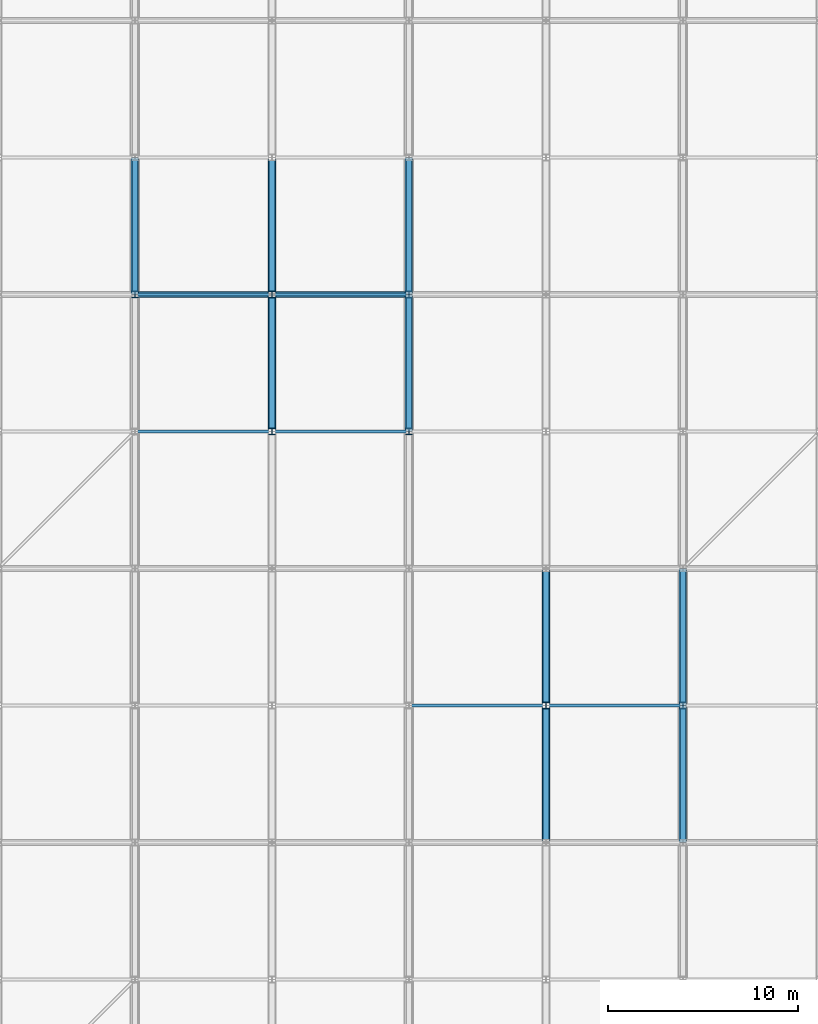
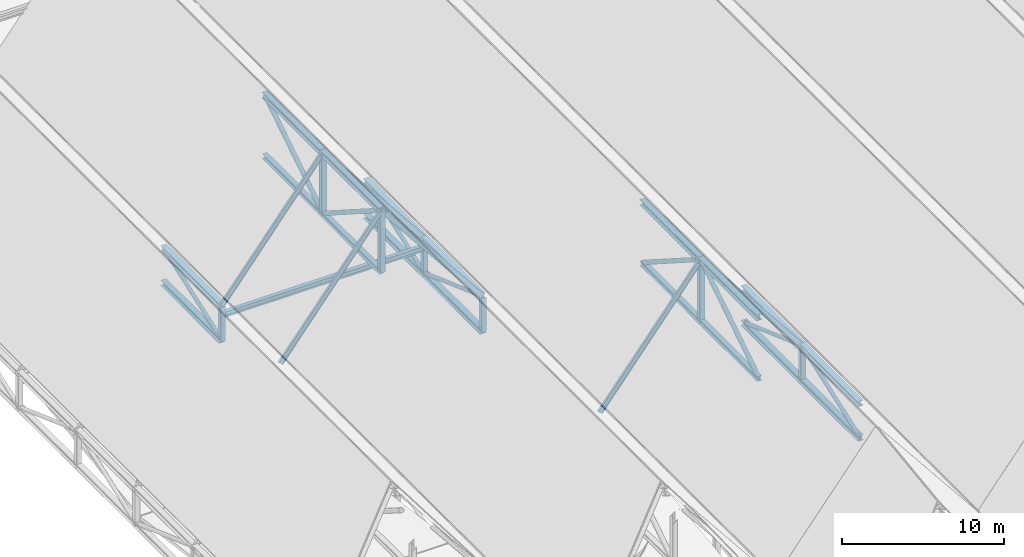
# One storey, part 8 of 60: 40 members, 1 beam.
"""IFC4 building model written with IfcOpenShell, lengths in metres."""

from ifc_helpers import new_model, si_unit, direction, frame, origin, origin_2d, place, context, subcontext, project, spatial, hollow_circle, i_section, extrude, material, material_profile, profile_set, type_object, element, save


model = new_model("IFC4")

# Units and contexts
model_context = context("Model", 3, precision=1e-05, world=origin(), true_north=direction((0.0, 1.0)))
body_context = subcontext(model_context, "Body", "Model", "MODEL_VIEW")
ifc_project = project(units=[si_unit("LENGTHUNIT", "METRE"), si_unit("AREAUNIT", "SQUARE_METRE"), si_unit("VOLUMEUNIT", "CUBIC_METRE"), si_unit("PLANEANGLEUNIT", "RADIAN"), si_unit("MASSUNIT", "GRAM", prefix="KILO")], contexts=[model_context])

# Site, building, storey
site_placement = place(None, origin())
site = spatial("IfcSite", under=ifc_project, at=site_placement, CompositionType="ELEMENT")
building_placement = place(site_placement, origin())
building = spatial("IfcBuilding", under=site, at=building_placement, Name="Vesperath Aquatics Centre", CompositionType="ELEMENT")
storey_placement = place(building_placement, frame((0.0, 0.0, 27.60009765625)))
storey = spatial("IfcBuildingStorey", under=building, at=storey_placement, Name="RF", CompositionType="ELEMENT", Elevation=27.60009765625)

# Beam
ifc_material_1 = material(Name="Steel Q355C", Category="steel")
ifc_material_profile_1 = material_profile(ifc_material_1, i_section(OverallWidth=0.300048828125, OverallDepth=0.389892578125, WebThickness=0.010009765625, FlangeThickness=0.01611328125, FilletRadius=0.02197265625, at=origin_2d()), Name="HM 390x300x10x16")
ifc_profile_set_1 = profile_set([ifc_material_profile_1], Name="Steel Q355C")
beam_type = type_object("IfcBeamType", Name="BM-RB03", PredefinedType="BEAM", material=ifc_profile_set_1)
beam_placement = place(storey_placement, frame((14.39990234375, 57.60009765625, -10.478759765625), z_axis=(1.0, 0.0, 0.0), x_axis=(0.0, 1.0, 0.0)))
element("IfcBeam", 1, at=beam_placement, inside=storey, type_object=beam_type, Name="Natatorium Roof Deck Support Beam B11 G2-57.6", PredefinedType="BEAM", context=body_context, shape_type="SweptSolid", body=[
    extrude(i_section(OverallWidth=0.300048828125, OverallDepth=0.389892578125, WebThickness=0.010009765625, FlangeThickness=0.01611328125, FilletRadius=0.02197265625, at=origin_2d()), origin(), (0.0, 0.0, 1.0), 14.400146484375),
])

# Members
ifc_material_2 = material(Name="Steel Q355D", Category="steel")
ifc_material_profile_2 = material_profile(ifc_material_2, i_section(OverallWidth=0.39990234375, OverallDepth=0.39990234375, WebThickness=0.012939453125, FlangeThickness=0.02099609375, FilletRadius=0.02197265625, at=origin_2d()), Name="HW 400x400x13x21")
ifc_profile_set_2 = profile_set([ifc_material_profile_2], Name="Steel Q355D")
member_type_1 = type_object("IfcMemberType", Name="MB-BC01", PredefinedType="CHORD", material=ifc_profile_set_2)
member_1_placement = place(storey_placement, frame((14.39990234375, 57.60009765625, -12.400146484375), z_axis=(0.0, 1.0, 0.0), x_axis=(-1.0, 0.0, 0.0)))
element("IfcMember", 2, at=member_1_placement, inside=storey, type_object=member_type_1, Name="Natatorium ROOF TRUSS Bottom Chord BC01 G3-9", PredefinedType="CHORD", context=body_context, shape_type="SweptSolid", body=[
    extrude(i_section(OverallWidth=0.39990234375, OverallDepth=0.39990234375, WebThickness=0.012939453125, FlangeThickness=0.02099609375, FilletRadius=0.02197265625, at=origin_2d()), origin(), (0.0, 0.0, 1.0), 7.199951171875),
])
member_2_placement = place(storey_placement, frame((28.800048828125, 50.39990234375, -12.400146484375), z_axis=(0.0, 1.0, 0.0), x_axis=(-1.0, 0.0, 0.0)))
element("IfcMember", 3, at=member_2_placement, inside=storey, type_object=member_type_1, Name="Natatorium ROOF TRUSS Bottom Chord BC01 G5-8", PredefinedType="CHORD", context=body_context, shape_type="SweptSolid", body=[
    extrude(i_section(OverallWidth=0.39990234375, OverallDepth=0.39990234375, WebThickness=0.012939453125, FlangeThickness=0.02099609375, FilletRadius=0.02197265625, at=origin_2d()), origin(), (0.0, 0.0, 1.0), 7.2001953125),
])
for number, where, z_axis, x_axis, name in (
    (4, (28.800048828125, 57.60009765625, -12.400146484375), (0.0, 1.0, 0.0), (-1.0, 0.0, 0.0), "Natatorium ROOF TRUSS Bottom Chord BC01 G5-9"),
    (5, (43.199951171875, 28.800048828125, -12.400146484375), (0.0, 1.0, 0.0), (-1.0, 0.0, 0.0), "Natatorium ROOF TRUSS Bottom Chord BC01 G7-5"),
    (6, (43.199951171875, 36.0, -12.400146484375), (0.0, 1.0, 0.0), (-1.0, 0.0, 0.0), "Natatorium ROOF TRUSS Bottom Chord BC01 G7-6"),
):
    element("IfcMember", number, at=place(storey_placement, frame(where, z_axis=z_axis, x_axis=x_axis)), inside=storey, type_object=member_type_1, Name=name, PredefinedType="CHORD", context=body_context, shape_type="SweptSolid", body=[
        extrude(i_section(OverallWidth=0.39990234375, OverallDepth=0.39990234375, WebThickness=0.012939453125, FlangeThickness=0.02099609375, FilletRadius=0.02197265625, at=origin_2d()), origin(), (0.0, 0.0, 1.0), 7.199951171875),
    ])
ifc_material_profile_3 = material_profile(ifc_material_2, i_section(OverallWidth=0.35009765625, OverallDepth=0.35009765625, WebThickness=0.011962890625, FlangeThickness=0.01904296875, FilletRadius=0.02001953125, at=origin_2d()), Name="HW 350x350x12x19")
ifc_profile_set_3 = profile_set([ifc_material_profile_3], Name="Steel Q355D")
member_type_2 = type_object("IfcMemberType", Name="MB-BC02", PredefinedType="CHORD", material=ifc_profile_set_3)
member_3_placement = place(storey_placement, frame((21.60009765625, 50.39990234375, -5.400146484375), z_axis=(0.0, 1.0, 0.0), x_axis=(-1.0, 0.0, 0.0)))
element("IfcMember", 7, at=member_3_placement, inside=storey, type_object=member_type_2, Name="Natatorium ROOF TRUSS Bottom Chord BC02 G4-8", PredefinedType="CHORD", context=body_context, shape_type="SweptSolid", body=[
    extrude(i_section(OverallWidth=0.35009765625, OverallDepth=0.35009765625, WebThickness=0.011962890625, FlangeThickness=0.01904296875, FilletRadius=0.02001953125, at=origin_2d()), origin(), (0.0, 0.0, 1.0), 7.2001953125),
])
for number, where, z_axis, x_axis, name in (
    (8, (21.60009765625, 57.60009765625, -5.400146484375), (0.0, 1.0, 0.0), (-1.0, 0.0, 0.0), "Natatorium ROOF TRUSS Bottom Chord BC02 G4-9"),
    (9, (36.0, 28.800048828125, -5.400146484375), (0.0, 1.0, 0.0), (-1.0, 0.0, 0.0), "Natatorium ROOF TRUSS Bottom Chord BC02 G6-5"),
    (10, (36.0, 36.0, -5.400146484375), (0.0, 1.0, 0.0), (-1.0, 0.0, 0.0), "Natatorium ROOF TRUSS Bottom Chord BC02 G6-6"),
):
    element("IfcMember", number, at=place(storey_placement, frame(where, z_axis=z_axis, x_axis=x_axis)), inside=storey, type_object=member_type_2, Name=name, PredefinedType="CHORD", context=body_context, shape_type="SweptSolid", body=[
        extrude(i_section(OverallWidth=0.35009765625, OverallDepth=0.35009765625, WebThickness=0.011962890625, FlangeThickness=0.01904296875, FilletRadius=0.02001953125, at=origin_2d()), origin(), (0.0, 0.0, 1.0), 7.199951171875),
    ])
ifc_material_profile_4 = material_profile(ifc_material_1, i_section(OverallWidth=0.175048828125, OverallDepth=0.35009765625, WebThickness=0.007080078125, FlangeThickness=0.010986328125, FilletRadius=0.012939453125, at=origin_2d()), Name="HN 350x175x7x11")
ifc_profile_set_4 = profile_set([ifc_material_profile_4], Name="Steel Q355C")
member_type_3 = type_object("IfcMemberType", Name="MB-PR01", PredefinedType="PURLIN", material=ifc_profile_set_4)
for number, where, z_axis, x_axis, name in (
    (11, (14.39990234375, 50.39990234375, -9.800048828125), (0.624705380279, 0.0, 0.780860543151), (0.0, 1.0, 0.0), "Natatorium Roof Purlin PR01 B3-6"),
    (12, (14.39990234375, 57.60009765625, -9.800048828125), (0.624705380279, 0.0, 0.780860543151), (0.0, 1.0, 0.0), "Natatorium Roof Purlin PR01 B3-7"),
    (13, (21.60009765625, 50.39990234375, -0.800048828125), (0.624692464322, 0.0, -0.780870876022), (0.0, 1.0, 0.0), "Natatorium Roof Purlin PR01 B4-6"),
    (14, (21.60009765625, 57.60009765625, -0.800048828125), (0.624692464322, 0.0, -0.780870876022), (0.0, 1.0, 0.0), "Natatorium Roof Purlin PR01 B4-7"),
    (15, (28.800048828125, 36.0, -9.800048828125), (0.624692464322, 0.0, 0.780870876022), (0.0, 1.0, 0.0), "Natatorium Roof Purlin PR01 B5-4"),
    (16, (36.0, 36.0, -0.800048828125), (0.624692464322, 0.0, -0.780870876022), (0.0, 1.0, 0.0), "Natatorium Roof Purlin PR01 B6-4"),
):
    element("IfcMember", number, at=place(storey_placement, frame(where, z_axis=z_axis, x_axis=x_axis)), inside=storey, type_object=member_type_3, Name=name, PredefinedType="PURLIN", context=body_context, shape_type="SweptSolid", body=[
        extrude(i_section(OverallWidth=0.175048828125, OverallDepth=0.35009765625, WebThickness=0.007080078125, FlangeThickness=0.010986328125, FilletRadius=0.012939453125, at=origin_2d()), origin(), (0.0, 0.0, 1.0), 11.525634765625),
    ])
ifc_material_profile_5 = material_profile(ifc_material_2, i_section(OverallWidth=0.406982421875, OverallDepth=0.427978515625, WebThickness=0.02001953125, FlangeThickness=0.034912109375, FilletRadius=0.02197265625, at=origin_2d()), Name="HW 428x407x20x35")
ifc_profile_set_5 = profile_set([ifc_material_profile_5], Name="Steel Q355D")
member_type_4 = type_object("IfcMemberType", Name="MB-TC01", PredefinedType="CHORD", material=ifc_profile_set_5)
member_4_placement = place(storey_placement, frame((21.60009765625, 50.39990234375, -0.800048828125), z_axis=(0.0, 1.0, 0.0), x_axis=(-1.0, 0.0, 0.0)))
element("IfcMember", 17, at=member_4_placement, inside=storey, type_object=member_type_4, Name="Natatorium ROOF TRUSS Top Chord TC01 G4-8", PredefinedType="CHORD", context=body_context, shape_type="SweptSolid", body=[
    extrude(i_section(OverallWidth=0.406982421875, OverallDepth=0.427978515625, WebThickness=0.02001953125, FlangeThickness=0.034912109375, FilletRadius=0.02197265625, at=origin_2d()), origin(), (0.0, 0.0, 1.0), 7.2001953125),
])
for number, where, z_axis, x_axis, name in (
    (18, (21.60009765625, 57.60009765625, -0.800048828125), (0.0, 1.0, 0.0), (-1.0, 0.0, 0.0), "Natatorium ROOF TRUSS Top Chord TC01 G4-9"),
    (19, (36.0, 28.800048828125, -0.800048828125), (0.0, 1.0, 0.0), (-1.0, 0.0, 0.0), "Natatorium ROOF TRUSS Top Chord TC01 G6-5"),
    (20, (36.0, 36.0, -0.800048828125), (0.0, 1.0, 0.0), (-1.0, 0.0, 0.0), "Natatorium ROOF TRUSS Top Chord TC01 G6-6"),
):
    element("IfcMember", number, at=place(storey_placement, frame(where, z_axis=z_axis, x_axis=x_axis)), inside=storey, type_object=member_type_4, Name=name, PredefinedType="CHORD", context=body_context, shape_type="SweptSolid", body=[
        extrude(i_section(OverallWidth=0.406982421875, OverallDepth=0.427978515625, WebThickness=0.02001953125, FlangeThickness=0.034912109375, FilletRadius=0.02197265625, at=origin_2d()), origin(), (0.0, 0.0, 1.0), 7.199951171875),
    ])
ifc_material_profile_6 = material_profile(ifc_material_2, i_section(OverallWidth=0.39990234375, OverallDepth=0.39990234375, WebThickness=0.012939453125, FlangeThickness=0.02099609375, FilletRadius=0.02197265625, at=origin_2d()), Name="HW 400x400x13x21")
ifc_profile_set_6 = profile_set([ifc_material_profile_6], Name="Steel Q355D")
member_type_5 = type_object("IfcMemberType", Name="MB-TC02", PredefinedType="CHORD", material=ifc_profile_set_6)
member_5_placement = place(storey_placement, frame((14.39990234375, 57.60009765625, -9.800048828125), z_axis=(0.0, 1.0, 0.0), x_axis=(-1.0, 0.0, 0.0)))
element("IfcMember", 21, at=member_5_placement, inside=storey, type_object=member_type_5, Name="Natatorium ROOF TRUSS Top Chord TC02 G3-9", PredefinedType="CHORD", context=body_context, shape_type="SweptSolid", body=[
    extrude(i_section(OverallWidth=0.39990234375, OverallDepth=0.39990234375, WebThickness=0.012939453125, FlangeThickness=0.02099609375, FilletRadius=0.02197265625, at=origin_2d()), origin(), (0.0, 0.0, 1.0), 7.199951171875),
])
member_6_placement = place(storey_placement, frame((28.800048828125, 50.39990234375, -9.800048828125), z_axis=(0.0, 1.0, 0.0), x_axis=(-1.0, 0.0, 0.0)))
element("IfcMember", 22, at=member_6_placement, inside=storey, type_object=member_type_5, Name="Natatorium ROOF TRUSS Top Chord TC02 G5-8", PredefinedType="CHORD", context=body_context, shape_type="SweptSolid", body=[
    extrude(i_section(OverallWidth=0.39990234375, OverallDepth=0.39990234375, WebThickness=0.012939453125, FlangeThickness=0.02099609375, FilletRadius=0.02197265625, at=origin_2d()), origin(), (0.0, 0.0, 1.0), 7.2001953125),
])
for number, where, z_axis, x_axis, name in (
    (23, (28.800048828125, 57.60009765625, -9.800048828125), (0.0, 1.0, 0.0), (-1.0, 0.0, 0.0), "Natatorium ROOF TRUSS Top Chord TC02 G5-9"),
    (24, (43.199951171875, 28.800048828125, -9.800048828125), (0.0, 1.0, 0.0), (-1.0, 0.0, 0.0), "Natatorium ROOF TRUSS Top Chord TC02 G7-5"),
    (25, (43.199951171875, 36.0, -9.800048828125), (0.0, 1.0, 0.0), (-1.0, 0.0, 0.0), "Natatorium ROOF TRUSS Top Chord TC02 G7-6"),
):
    element("IfcMember", number, at=place(storey_placement, frame(where, z_axis=z_axis, x_axis=x_axis)), inside=storey, type_object=member_type_5, Name=name, PredefinedType="CHORD", context=body_context, shape_type="SweptSolid", body=[
        extrude(i_section(OverallWidth=0.39990234375, OverallDepth=0.39990234375, WebThickness=0.012939453125, FlangeThickness=0.02099609375, FilletRadius=0.02197265625, at=origin_2d()), origin(), (0.0, 0.0, 1.0), 7.199951171875),
    ])
ifc_material_profile_7 = material_profile(ifc_material_2, hollow_circle(Radius=0.161865234375, WallThickness=0.013916015625, at=origin_2d()), Name="CHS 323.9x14")
ifc_profile_set_7 = profile_set([ifc_material_profile_7], Name="Steel Q355D")
member_type_6 = type_object("IfcMemberType", Name="MB-TD01", PredefinedType="BRACE", material=ifc_profile_set_7)
member_7_placement = place(storey_placement, frame((21.60009765625, 50.467529296875, -0.84326171875), z_axis=(0.0, 0.842698461818, -0.538385830468), x_axis=(-1.0, 0.0, 0.0)))
element("IfcMember", 26, at=member_7_placement, inside=storey, type_object=member_type_6, Name="Natatorium ROOF TRUSS Diagonal TD01 G4-8", PredefinedType="BRACE", context=body_context, shape_type="SweptSolid", body=[
    extrude(hollow_circle(Radius=0.161865234375, WallThickness=0.013916015625, at=origin_2d()), origin(), (0.0, 0.0, 1.0), 8.3837890625),
])
for number, where, z_axis, x_axis, name in (
    (27, (21.60009765625, 57.66748046875, -5.35693359375), (0.0, 0.84270690245, 0.538372618698), (-1.0, 0.0, 0.0), "Natatorium ROOF TRUSS Diagonal TD01 G4-9"),
    (28, (36.0, 28.867431640625, -5.35693359375), (0.0, 0.84270690245, 0.538372618698), (-1.0, 0.0, 0.0), "Natatorium ROOF TRUSS Diagonal TD01 G6-5"),
    (29, (36.0, 36.0673828125, -0.84326171875), (0.0, 0.84270690245, -0.538372618698), (-1.0, 0.0, 0.0), "Natatorium ROOF TRUSS Diagonal TD01 G6-6"),
):
    element("IfcMember", number, at=place(storey_placement, frame(where, z_axis=z_axis, x_axis=x_axis)), inside=storey, type_object=member_type_6, Name=name, PredefinedType="BRACE", context=body_context, shape_type="SweptSolid", body=[
        extrude(hollow_circle(Radius=0.161865234375, WallThickness=0.013916015625, at=origin_2d()), origin(), (0.0, 0.0, 1.0), 8.384033203125),
    ])
ifc_material_profile_8 = material_profile(ifc_material_2, hollow_circle(Radius=0.136474609375, WallThickness=0.011962890625, at=origin_2d()), Name="CHS 273.0x12")
ifc_profile_set_8 = profile_set([ifc_material_profile_8], Name="Steel Q355D")
member_type_7 = type_object("IfcMemberType", Name="MB-TD02", PredefinedType="BRACE", material=ifc_profile_set_8)
member_8_placement = place(storey_placement, frame((14.39990234375, 57.67529296875, -12.373046875), z_axis=(0.0, 0.940544360889, 0.339670877761), x_axis=(-1.0, 0.0, 0.0)))
element("IfcMember", 30, at=member_8_placement, inside=storey, type_object=member_type_7, Name="Natatorium ROOF TRUSS Diagonal TD02 G3-9", PredefinedType="BRACE", context=body_context, shape_type="SweptSolid", body=[
    extrude(hollow_circle(Radius=0.136474609375, WallThickness=0.011962890625, at=origin_2d()), origin(), (0.0, 0.0, 1.0), 7.4951171875),
])
member_9_placement = place(storey_placement, frame((28.800048828125, 50.475341796875, -9.8271484375), z_axis=(0.0, 0.940540602568, -0.339681284324), x_axis=(-1.0, 0.0, 0.0)))
element("IfcMember", 31, at=member_9_placement, inside=storey, type_object=member_type_7, Name="Natatorium ROOF TRUSS Diagonal TD02 G5-8", PredefinedType="BRACE", context=body_context, shape_type="SweptSolid", body=[
    extrude(hollow_circle(Radius=0.136474609375, WallThickness=0.011962890625, at=origin_2d()), origin(), (0.0, 0.0, 1.0), 7.494873046875),
])
for number, where, z_axis, x_axis, name in (
    (32, (28.800048828125, 57.67529296875, -12.373046875), (0.0, 0.940544360889, 0.339670877761), (-1.0, 0.0, 0.0), "Natatorium ROOF TRUSS Diagonal TD02 G5-9"),
    (33, (43.199951171875, 28.875244140625, -12.373046875), (0.0, 0.940544360889, 0.339670877761), (-1.0, 0.0, 0.0), "Natatorium ROOF TRUSS Diagonal TD02 G7-5"),
    (34, (43.199951171875, 36.0751953125, -9.8271484375), (0.0, 0.940544360889, -0.339670877761), (-1.0, 0.0, 0.0), "Natatorium ROOF TRUSS Diagonal TD02 G7-6"),
):
    element("IfcMember", number, at=place(storey_placement, frame(where, z_axis=z_axis, x_axis=x_axis)), inside=storey, type_object=member_type_7, Name=name, PredefinedType="BRACE", context=body_context, shape_type="SweptSolid", body=[
        extrude(hollow_circle(Radius=0.136474609375, WallThickness=0.011962890625, at=origin_2d()), origin(), (0.0, 0.0, 1.0), 7.4951171875),
    ])
ifc_material_profile_9 = material_profile(ifc_material_2, i_section(OverallWidth=0.35009765625, OverallDepth=0.35009765625, WebThickness=0.011962890625, FlangeThickness=0.01904296875, FilletRadius=0.02001953125, at=origin_2d()), Name="HW 350x350x12x19")
ifc_profile_set_9 = profile_set([ifc_material_profile_9], Name="Steel Q355D")
member_type_8 = type_object("IfcMemberType", Name="MB-TP01", PredefinedType="POST", material=ifc_profile_set_9)
member_10_placement = place(storey_placement, frame((14.39990234375, 57.60009765625, -12.400146484375), z_axis=(0.0, 0.0, 1.0), x_axis=(1.0, 0.0, 0.0)))
element("IfcMember", 35, at=member_10_placement, inside=storey, type_object=member_type_8, Name="Natatorium ROOF TRUSS Post TP01 G3-9", PredefinedType="POST", context=body_context, shape_type="SweptSolid", body=[
    extrude(i_section(OverallWidth=0.35009765625, OverallDepth=0.35009765625, WebThickness=0.011962890625, FlangeThickness=0.01904296875, FilletRadius=0.02001953125, at=origin_2d()), origin(), (0.0, 0.0, 1.0), 2.60009765625),
])
for number, where, z_axis, x_axis, name in (
    (36, (21.60009765625, 50.39990234375, -5.400146484375), (0.0, 0.0, 1.0), (1.0, 0.0, 0.0), "Natatorium ROOF TRUSS Post TP01 G4-8"),
    (37, (21.60009765625, 57.60009765625, -5.400146484375), (0.0, 0.0, 1.0), (1.0, 0.0, 0.0), "Natatorium ROOF TRUSS Post TP01 G4-9"),
):
    element("IfcMember", number, at=place(storey_placement, frame(where, z_axis=z_axis, x_axis=x_axis)), inside=storey, type_object=member_type_8, Name=name, PredefinedType="POST", context=body_context, shape_type="SweptSolid", body=[
        extrude(i_section(OverallWidth=0.35009765625, OverallDepth=0.35009765625, WebThickness=0.011962890625, FlangeThickness=0.01904296875, FilletRadius=0.02001953125, at=origin_2d()), origin(), (0.0, 0.0, 1.0), 4.60009765625),
    ])
for number, where, z_axis, x_axis, name in (
    (38, (28.800048828125, 50.39990234375, -12.400146484375), (0.0, 0.0, 1.0), (1.0, 0.0, 0.0), "Natatorium ROOF TRUSS Post TP01 G5-8"),
    (39, (28.800048828125, 57.60009765625, -12.400146484375), (0.0, 0.0, 1.0), (1.0, 0.0, 0.0), "Natatorium ROOF TRUSS Post TP01 G5-9"),
):
    element("IfcMember", number, at=place(storey_placement, frame(where, z_axis=z_axis, x_axis=x_axis)), inside=storey, type_object=member_type_8, Name=name, PredefinedType="POST", context=body_context, shape_type="SweptSolid", body=[
        extrude(i_section(OverallWidth=0.35009765625, OverallDepth=0.35009765625, WebThickness=0.011962890625, FlangeThickness=0.01904296875, FilletRadius=0.02001953125, at=origin_2d()), origin(), (0.0, 0.0, 1.0), 2.60009765625),
    ])
member_11_placement = place(storey_placement, frame((36.0, 36.0, -5.400146484375), z_axis=(0.0, 0.0, 1.0), x_axis=(1.0, 0.0, 0.0)))
element("IfcMember", 40, at=member_11_placement, inside=storey, type_object=member_type_8, Name="Natatorium ROOF TRUSS Post TP01 G6-6", PredefinedType="POST", context=body_context, shape_type="SweptSolid", body=[
    extrude(i_section(OverallWidth=0.35009765625, OverallDepth=0.35009765625, WebThickness=0.011962890625, FlangeThickness=0.01904296875, FilletRadius=0.02001953125, at=origin_2d()), origin(), (0.0, 0.0, 1.0), 4.60009765625),
])
member_12_placement = place(storey_placement, frame((43.199951171875, 36.0, -12.400146484375), z_axis=(0.0, 0.0, 1.0), x_axis=(1.0, 0.0, 0.0)))
element("IfcMember", 41, at=member_12_placement, inside=storey, type_object=member_type_8, Name="Natatorium ROOF TRUSS Post TP01 G7-6", PredefinedType="POST", context=body_context, shape_type="SweptSolid", body=[
    extrude(i_section(OverallWidth=0.35009765625, OverallDepth=0.35009765625, WebThickness=0.011962890625, FlangeThickness=0.01904296875, FilletRadius=0.02001953125, at=origin_2d()), origin(), (0.0, 0.0, 1.0), 2.60009765625),
])

save(model, "model.ifc")
